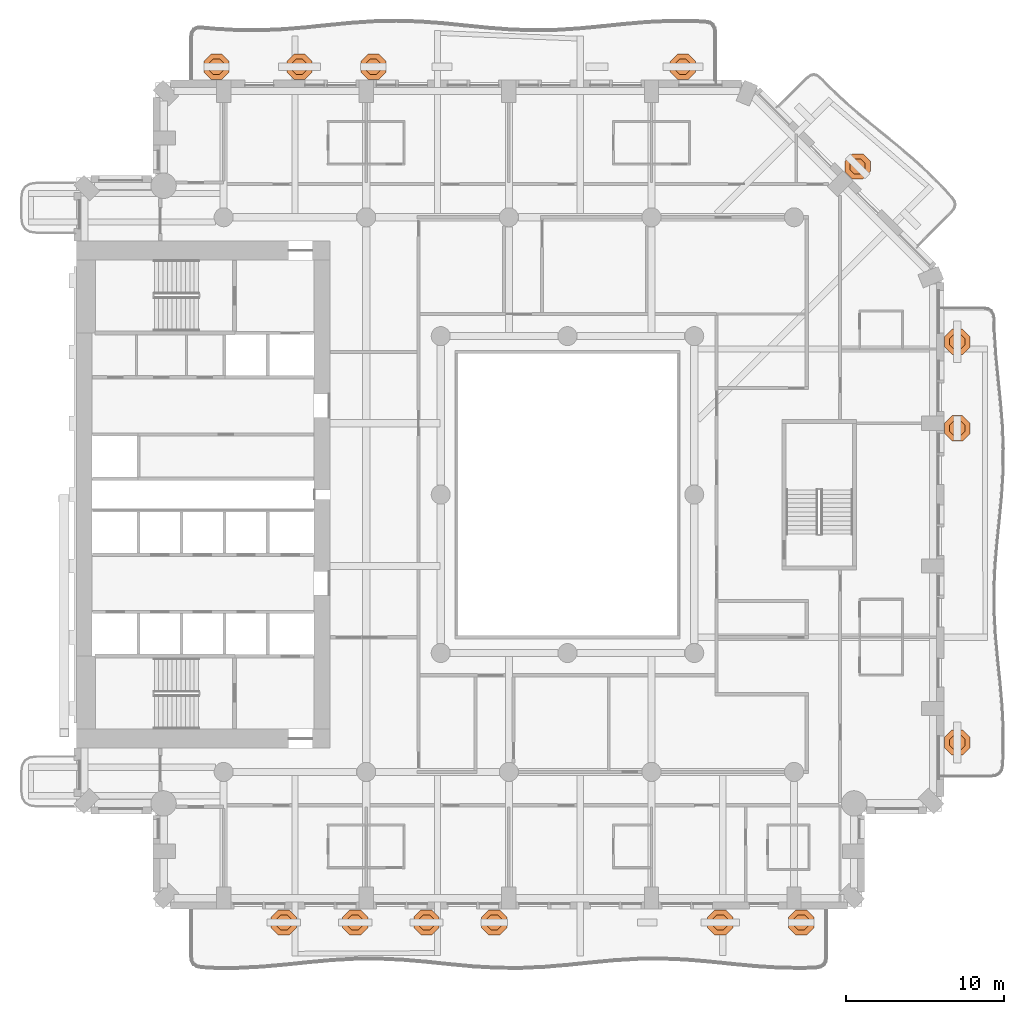
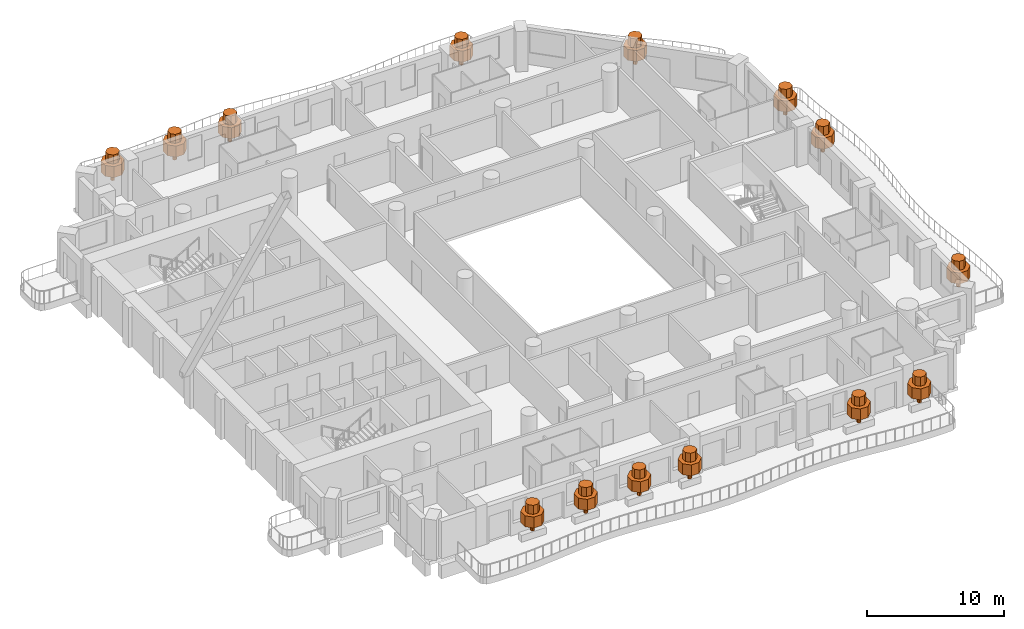
# One storey, part 20 of 20: 14 geographic elements.
"""IFC4 building model written with IfcOpenShell, lengths in metres."""

import ifcopenshell
import ifcopenshell.guid

model = None  # the IFC model being written
_history = None  # IfcOwnerHistory: only IFC2X3 demands one
_inside = {}  # id of a spatial element -> (the spatial element, [elements in it])
_under = {}  # id of a project, library or spatial element -> (it, [spatial elements below it])
_declared = {}  # id of a project -> (the project, [libraries it declares])
_typed = {}  # id of a type object -> (the type object, [elements of that type])
_made_of = {}  # id of a material, layer set ... -> (it, [elements and type objects made of it])


def new_model(schema):
    """Start an empty IFC model of exactly this schema.

    Asked for "IFC4X3", IfcOpenShell would pick the latest addendum, in which some entities
    have other attributes; the version numbers below select the first issue.
    IFC2X3 requires an IfcOwnerHistory on every rooted entity: one is made here for all.
    """
    global model, _history
    if schema == "IFC4X3":
        model = ifcopenshell.file(schema_version=(4, 3, 0, 0))
    else:
        model = ifcopenshell.file(schema=schema)
    _inside.clear()
    _under.clear()
    _declared.clear()
    _typed.clear()
    _made_of.clear()
    _history = None
    if model.schema == "IFC2X3":
        org = make("IfcOrganization", Name="unknown")
        user = make(
            "IfcPersonAndOrganization",
            ThePerson=make("IfcPerson", FamilyName="unknown"),
            TheOrganization=org,
        )
        app = make(
            "IfcApplication",
            ApplicationDeveloper=org,
            Version="unknown",
            ApplicationFullName="unknown",
            ApplicationIdentifier="unknown",
        )
        _history = make(
            "IfcOwnerHistory",
            OwningUser=user,
            OwningApplication=app,
            ChangeAction="ADDED",
            CreationDate=0,
        )
    return model


def make(cls, **values):
    """One entity of the class cls with the attributes given. An attribute that is None is left unset."""
    return model.create_entity(
        cls, **{name: value for name, value in values.items() if value is not None}
    )


def rooted(cls, **values):
    """An entity with a GlobalId (a new one), such as an element, a storey or a relation."""
    return make(cls, GlobalId=ifcopenshell.guid.new(), OwnerHistory=_history, **values)


def si_unit(unit_type, name, prefix=None):
    """IfcSIUnit, for example si_unit("LENGTHUNIT", "METRE", prefix="MILLI")."""
    return make("IfcSIUnit", UnitType=unit_type, Prefix=prefix, Name=name)


def assignment(units):
    """IfcUnitAssignment: the units of a project."""
    return None if units is None else make("IfcUnitAssignment", Units=units)


def point(xyz):
    """IfcCartesianPoint."""
    return None if xyz is None else make("IfcCartesianPoint", Coordinates=xyz)


def direction(xyz):
    """IfcDirection."""
    return None if xyz is None else make("IfcDirection", DirectionRatios=xyz)


def frame(location, z_axis=None, x_axis=None):
    """IfcAxis2Placement3D, a coordinate frame: its origin and axes. An axis left out is left unset."""
    return make(
        "IfcAxis2Placement3D",
        Location=point(location),
        Axis=direction(z_axis),
        RefDirection=direction(x_axis),
    )


def origin():
    """The frame at (0, 0, 0) with its axes left unset."""
    return frame((0.0, 0.0, 0.0))


def place(relative_to, where):
    """IfcLocalPlacement: puts the frame where relative to a parent placement (None: the world)."""
    return make(
        "IfcLocalPlacement", PlacementRelTo=relative_to, RelativePlacement=where
    )


def context(
    kind, dimensions, precision=None, world=None, true_north=None, identifier=None
):
    """IfcGeometricRepresentationContext, for example the 3D "Model" context."""
    return make(
        "IfcGeometricRepresentationContext",
        ContextIdentifier=identifier,
        ContextType=kind,
        CoordinateSpaceDimension=dimensions,
        Precision=precision,
        WorldCoordinateSystem=world,
        TrueNorth=true_north,
    )


def subcontext(parent, identifier, kind, view, scale=None):
    """IfcGeometricRepresentationSubContext, for example "Body" below "Model"."""
    return make(
        "IfcGeometricRepresentationSubContext",
        ContextIdentifier=identifier,
        ContextType=kind,
        ParentContext=parent,
        TargetScale=scale,
        TargetView=view,
    )


def project(units=None, contexts=None):
    """IfcProject with its units and contexts."""
    return rooted(
        "IfcProject",
        Name="project",
        RepresentationContexts=contexts,
        UnitsInContext=assignment(units),
    )


def spatial(cls, under=None, at=None, **own):
    """A site, building, storey or space (cls), placed at a placement, below another one or the project."""
    s = rooted(cls, ObjectPlacement=at, **own)
    if under is not None:
        _under.setdefault(under.id(), (under, []))[1].append(s)
    return s


def polyline(points):
    """IfcPolyline through the points."""
    return make("IfcPolyline", Points=[point(p) for p in points])


def outline(outer, holes=None, kind="AREA"):
    """IfcArbitraryClosedProfileDef: a profile drawn as a closed curve; with holes, ...WithVoids."""
    if holes is None:
        return make("IfcArbitraryClosedProfileDef", ProfileType=kind, OuterCurve=outer)
    return make(
        "IfcArbitraryProfileDefWithVoids",
        ProfileType=kind,
        OuterCurve=outer,
        InnerCurves=holes,
    )


def extrude(swept, where, along, depth):
    """IfcExtrudedAreaSolid: the profile swept, set in the frame where, extruded along a direction by depth."""
    return make(
        "IfcExtrudedAreaSolid",
        SweptArea=swept,
        Position=where,
        ExtrudedDirection=direction(along),
        Depth=depth,
    )


def shape(context_of_items, identifier, shape_type, items):
    """IfcShapeRepresentation: the items that make up one representation, for example the "Body"."""
    return make(
        "IfcShapeRepresentation",
        ContextOfItems=context_of_items,
        RepresentationIdentifier=identifier,
        RepresentationType=shape_type,
        Items=items,
    )


def material(Name=None, Category=None):
    """IfcMaterial."""
    return make("IfcMaterial", Name=Name, Category=Category)


def made_of(thing, what):
    """Note that an element or type object is made of a material, layer set ...; save() writes the relation."""
    if what is not None:
        _made_of.setdefault(what.id(), (what, []))[1].append(thing)
    return thing


def type_object(cls, material=None, **own):
    """A type object (cls), such as IfcWallType, which elements share."""
    return made_of(rooted(cls, **own), material)


def element(
    cls,
    number,
    at=None,
    inside=None,
    cuts=None,
    type_object=None,
    material=None,
    context=None,
    identifier="Body",
    shape_type=None,
    held_by="IfcProductDefinitionShape",
    body=None,
    shapes=None,
    **own,
):
    """One element of the class cls, such as IfcWall. Its Tag is "e" and its number.

    at: its placement. inside: the storey or other place that contains it. cuts: it is an
    opening in that element (IfcRelVoidsElement). A single representation is given by context,
    identifier, shape_type and body (its items); several are given by shapes. held_by: the class
    of the entity that holds the representations. save() writes the other relations.
    """
    e = rooted(cls, Tag="e%d" % number, ObjectPlacement=at, **own)
    if body is not None:
        shapes = [shape(context, identifier, shape_type, body)]
    if shapes is not None:
        e.Representation = make(held_by, Representations=shapes)
    if inside is not None:
        _inside.setdefault(inside.id(), (inside, []))[1].append(e)
    if cuts is not None:
        rooted(
            "IfcRelVoidsElement", RelatingBuildingElement=cuts, RelatedOpeningElement=e
        )
    if type_object is not None:
        _typed.setdefault(type_object.id(), (type_object, []))[1].append(e)
    return made_of(e, material)


def aggregate(whole, parts):
    """IfcRelAggregates: a whole, such as a stair, and the parts it consists of."""
    return rooted("IfcRelAggregates", RelatingObject=whole, RelatedObjects=parts)


def save(model, path):
    """Write the relations noted so far, then the file.

    IfcRelAggregates (storeys below a building ...), IfcRelContainedInSpatialStructure (elements
    in a storey), IfcRelDefinesByType, IfcRelAssociatesMaterial and IfcRelDeclares: one each for
    every whole, place, type object, material and project.
    """
    for whole, parts in _under.values():
        aggregate(whole, parts)
    for where, things in _inside.values():
        rooted(
            "IfcRelContainedInSpatialStructure",
            RelatedElements=things,
            RelatingStructure=where,
        )
    for kind, things in _typed.values():
        rooted("IfcRelDefinesByType", RelatedObjects=things, RelatingType=kind)
    for what, things in _made_of.values():
        rooted("IfcRelAssociatesMaterial", RelatedObjects=things, RelatingMaterial=what)
    for by, libraries in _declared.values():
        rooted("IfcRelDeclares", RelatingContext=by, RelatedDefinitions=libraries)
    model.write(path)


model = new_model("IFC4")

# Units and contexts
model_context = context("Model", 3, precision=1e-05, world=origin(), true_north=direction((0.0, 1.0)))
body_context = subcontext(model_context, "Body", "Model", "MODEL_VIEW")
ifc_project = project(units=[si_unit("LENGTHUNIT", "METRE"), si_unit("AREAUNIT", "SQUARE_METRE"), si_unit("VOLUMEUNIT", "CUBIC_METRE"), si_unit("PLANEANGLEUNIT", "RADIAN"), si_unit("MASSUNIT", "GRAM", prefix="KILO")], contexts=[model_context])

# Site, building, storey
site_placement = place(None, origin())
site = spatial("IfcSite", under=ifc_project, at=site_placement, CompositionType="ELEMENT")
building_placement = place(site_placement, origin())
building = spatial("IfcBuilding", under=site, at=building_placement, Name="Cypress Arch Tower", CompositionType="ELEMENT")
storey_placement = place(building_placement, frame((0.0, 0.0, 73.5)))
storey = spatial("IfcBuildingStorey", under=building, at=storey_placement, Name="L12", CompositionType="ELEMENT", Elevation=73.5)

# Geographic elements
ifc_material = material(Name="Foliage and planting")
geographic_element_type = type_object("IfcGeographicElementType", Name="Balcony tree TR", PredefinedType="USERDEFINED", material=ifc_material)
for number, where, z_axis, x_axis, name in (
    (1, (-16.89990234375, -27.0, 0.60009765625), (0.0, 0.0, 1.0), (1.0, 0.0, 0.0), "Balcony tree L12-A03.1"),
    (2, (-12.39990234375, -27.0, 0.60009765625), (0.0, 0.0, 1.0), (1.0, 0.0, 0.0), "Balcony tree L12-A03.2"),
    (3, (-7.89990234375, -27.0, 0.60009765625), (0.0, 0.0, 1.0), (1.0, 0.0, 0.0), "Balcony tree L12-A03.3"),
    (4, (-3.625, -27.0, 0.60009765625), (0.0, 0.0, 1.0), (1.0, 0.0, 0.0), "Balcony tree L12-A03.4"),
    (5, (10.639892578125, -27.0, 0.60009765625), (0.0, 0.0, 1.0), (1.0, 0.0, 0.0), "Balcony tree L12-A03.6"),
    (6, (15.75, -27.0, 0.60009765625), (0.0, 0.0, 1.0), (1.0, 0.0, 0.0), "Balcony tree L12-A03.7"),
    (7, (25.60009765625, -15.642822265625, 0.60009765625), (0.0, 0.0, 1.0), (1.0, 0.0, 0.0), "Balcony tree L12-A06.1"),
    (8, (25.60009765625, 4.1826171875, 0.60009765625), (0.0, 0.0, 1.0), (1.0, 0.0, 0.0), "Balcony tree L12-A06.2"),
    (9, (25.60009765625, 9.642822265625, 0.60009765625), (0.0, 0.0, 1.0), (1.0, 0.0, 0.0), "Balcony tree L12-A06.3"),
    (10, (19.30712890625, 20.70703125, 0.60009765625), (0.0, 0.0, 1.0), (1.0, 0.0, 0.0), "Balcony tree L12-A07.2"),
    (11, (8.28125, 27.0, 0.60009765625), (0.0, 0.0, 1.0), (1.0, 0.0, 0.0), "Balcony tree L12-A08.1"),
    (12, (-11.24365234375, 27.0, 0.60009765625), (0.0, 0.0, 1.0), (1.0, 0.0, 0.0), "Balcony tree L12-A08.4"),
    (13, (-15.91259765625, 27.0, 0.60009765625), (0.0, 0.0, 1.0), (1.0, 0.0, 0.0), "Balcony tree L12-A08.5"),
    (14, (-21.14990234375, 27.0, 0.60009765625), (0.0, 0.0, 1.0), (1.0, 0.0, 0.0), "Balcony tree L12-A08.6"),
):
    element("IfcGeographicElement", number, at=place(storey_placement, frame(where, z_axis=z_axis, x_axis=x_axis)), inside=storey, type_object=geographic_element_type, Name=name, ObjectType="TREE", PredefinedType="USERDEFINED", context=body_context, shape_type="SweptSolid", body=[
        extrude(outline(polyline([(0.14990234375, 0.06201171875), (0.06201171875, 0.14990234375), (-0.06201171875, 0.14990234375), (-0.14990234375, 0.06201171875), (-0.14990234375, -0.06201171875), (-0.06201171875, -0.14990234375), (0.06201171875, -0.14990234375), (0.14990234375, -0.06201171875), (0.14990234375, 0.06201171875)])), origin(), (0.0, 0.0, 1.0), 0.864990234375),
        extrude(outline(polyline([(0.800048828125, 0.331298828125), (0.331298828125, 0.800048828125), (-0.331298828125, 0.800048828125), (-0.800048828125, 0.331298828125), (-0.800048828125, -0.331298828125), (-0.331298828125, -0.800048828125), (0.331298828125, -0.800048828125), (0.800048828125, -0.331298828125), (0.800048828125, 0.331298828125)])), frame((0.0, 0.0, 0.764892578125)), (0.0, 0.0, 1.0), 0.981689453125),
        extrude(outline(polyline([(0.47998046875, 0.19873046875), (0.19873046875, 0.47998046875), (-0.19873046875, 0.47998046875), (-0.47998046875, 0.19873046875), (-0.47998046875, -0.19873046875), (-0.19873046875, -0.47998046875), (0.19873046875, -0.47998046875), (0.47998046875, -0.19873046875), (0.47998046875, 0.19873046875)])), frame((0.0, 0.0, 1.746826171875)), (0.0, 0.0, 1.0), 0.80322265625),
    ])

save(model, "model.ifc")
